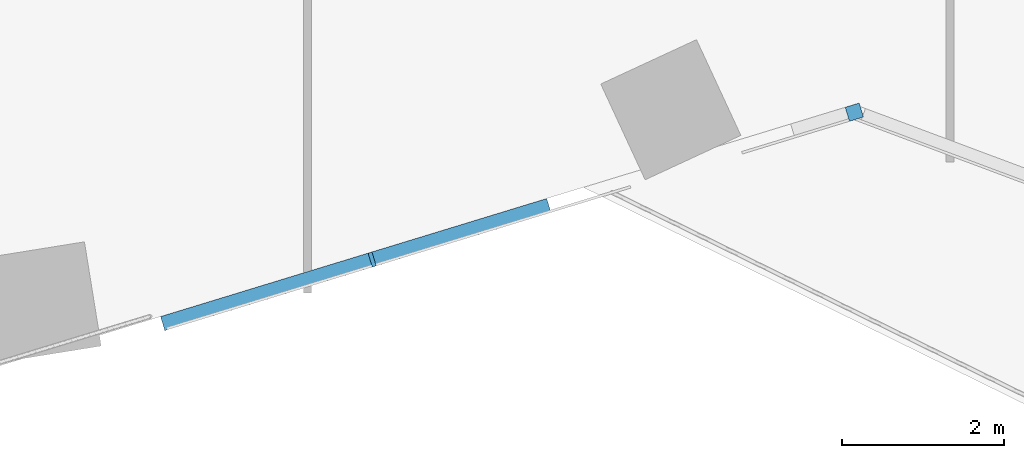
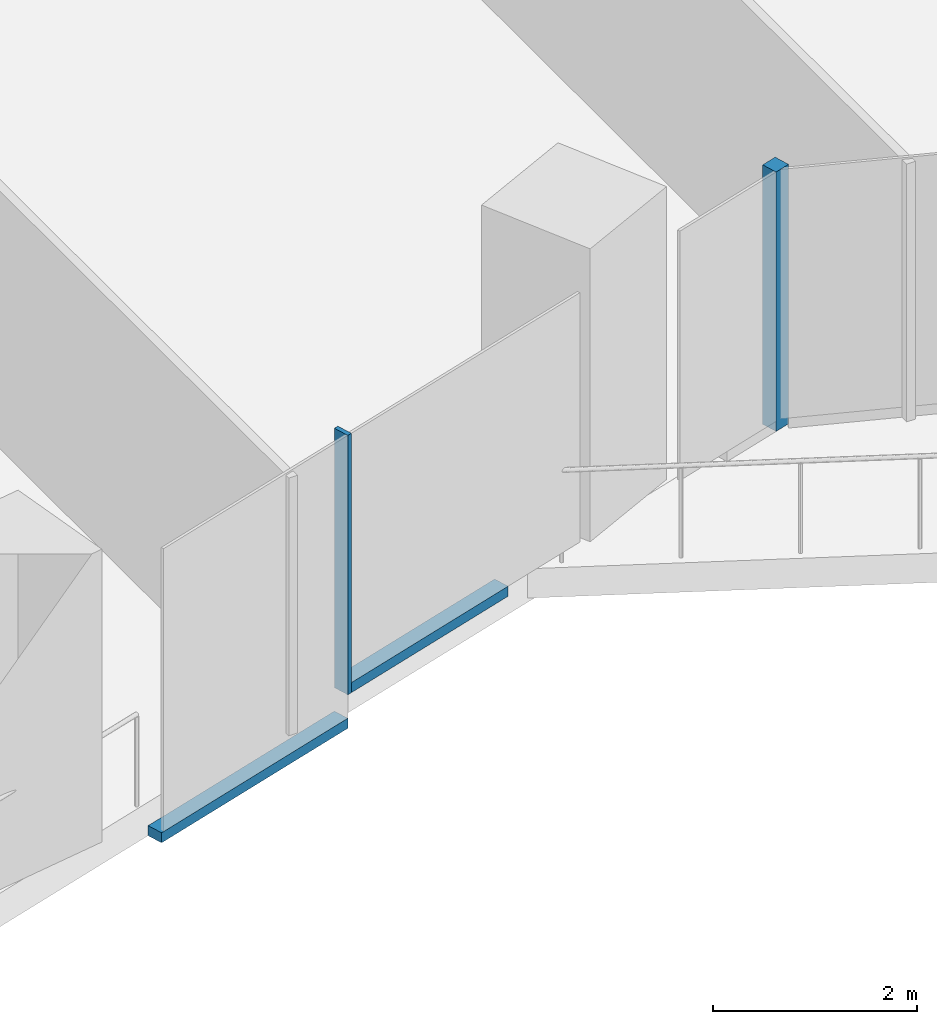
# One storey, part 5 of 30: 4 members, 1 element without a shape of its own.
"""IFC4 building model written with IfcOpenShell, lengths in metres."""

from ifc_helpers import new_model, si_unit, direction, frame, origin, origin_2d, place, context, subcontext, project, spatial, rectangle, extrude, material, material_profile, profile_set, type_object, element, aggregate, save


model = new_model("IFC4")

# Units and contexts
model_context = context("Model", 3, precision=1e-05, world=origin(), true_north=direction((0.0, 1.0)))
body_context = subcontext(model_context, "Body", "Model", "MODEL_VIEW")
ifc_project = project(units=[si_unit("LENGTHUNIT", "METRE"), si_unit("AREAUNIT", "SQUARE_METRE"), si_unit("VOLUMEUNIT", "CUBIC_METRE"), si_unit("PLANEANGLEUNIT", "RADIAN"), si_unit("MASSUNIT", "GRAM", prefix="KILO")], contexts=[model_context])

# Site, building, storey
site_placement = place(None, origin())
site = spatial("IfcSite", under=ifc_project, at=site_placement, CompositionType="ELEMENT")
building_placement = place(site_placement, origin())
building = spatial("IfcBuilding", under=site, at=building_placement, Name="Orlundy Tower", CompositionType="ELEMENT")
storey_placement = place(building_placement, frame((0.0, 0.0, 80.699951171875)))
storey = spatial("IfcBuildingStorey", under=building, at=storey_placement, Name="L19", CompositionType="ELEMENT", Elevation=80.699951171875)

# Curtain wall, members
ifc_material_1 = material(Name="Aluminium bronze anodised", Category="aluminium")
curtain_wall_type = type_object("IfcCurtainWallType", Name="CW1 wall", PredefinedType="NOTDEFINED", material=ifc_material_1)
curtain_wall_placement = place(storey_placement, origin())
curtain_wall = element("IfcCurtainWall", 1, at=curtain_wall_placement, inside=storey, type_object=curtain_wall_type, Name="CW1 run 017", PredefinedType="NOTDEFINED")
ifc_material_2 = material(Name="Aluminium bronze anodised", Category="aluminium")
ifc_material_profile_1 = material_profile(ifc_material_2, rectangle(XDim=0.179931640625, YDim=0.179931640625, at=origin_2d()), Name="CW1 corner post 180x180")
ifc_profile_set_1 = profile_set([ifc_material_profile_1], Name="Aluminium bronze anodised")
member_type_1 = type_object("IfcMemberType", Name="CW1 corner post 180x180", PredefinedType="MULLION", material=ifc_profile_set_1)
member_1_placement = place(storey_placement, frame((14.739013671875, -26.958984375, 0.0), z_axis=(0.0, 0.0, 1.0), x_axis=(0.292318233228, -0.956321102205, 0.0)))
member_1 = element("IfcMember", 2, at=member_1_placement, type_object=member_type_1, Name="CW1 mullion 49", PredefinedType="MULLION", context=body_context, shape_type="SweptSolid", body=[
    extrude(rectangle(XDim=0.179931640625, YDim=0.179931640625, at=origin_2d()), origin(), (0.0, 0.0, 1.0), 3.10009765625),
])
ifc_material_3 = material(Name="Aluminium bronze anodised", Category="aluminium")
ifc_material_profile_2 = material_profile(ifc_material_3, rectangle(XDim=0.179931640625, YDim=0.050048828125, at=origin_2d()), Name="CW1 mullion 50x180")
ifc_profile_set_2 = profile_set([ifc_material_profile_2], Name="Aluminium bronze anodised")
member_type_2 = type_object("IfcMemberType", Name="CW1 mullion 50x180", PredefinedType="MULLION", material=ifc_profile_set_2)
member_2_placement = place(storey_placement, frame((8.7978515625, -28.775146484375, 0.0), z_axis=(0.0, 0.0, 1.0), x_axis=(0.292318233228, -0.956321102205, 0.0)))
member_2 = element("IfcMember", 3, at=member_2_placement, type_object=member_type_2, Name="CW1 mullion 50", PredefinedType="MULLION", context=body_context, shape_type="SweptSolid", body=[
    extrude(rectangle(XDim=0.179931640625, YDim=0.050048828125, at=origin_2d()), origin(), (0.0, 0.0, 1.0), 3.10009765625),
])
ifc_material_4 = material(Name="Aluminium bronze anodised", Category="aluminium")
ifc_material_profile_3 = material_profile(ifc_material_4, rectangle(XDim=0.179931640625, YDim=0.1201171875, at=origin_2d()), Name="CW1 transom 180x120")
ifc_profile_set_3 = profile_set([ifc_material_profile_3], Name="Aluminium bronze anodised")
member_type_3 = type_object("IfcMemberType", Name="CW1 transom 180x120", PredefinedType="USERDEFINED", material=ifc_profile_set_3)
member_3_placement = place(storey_placement, frame((10.974853515625, -28.109619140625, 0.06005859375), z_axis=(-0.956311998217, -0.29234801533, 0.0), x_axis=(0.29234801533, -0.956311998217, 0.0)))
member_3 = element("IfcMember", 4, at=member_3_placement, type_object=member_type_3, Name="CW1 transom", ObjectType="TRANSOM", PredefinedType="USERDEFINED", context=body_context, shape_type="SweptSolid", body=[
    extrude(rectangle(XDim=0.179931640625, YDim=0.1201171875, at=origin_2d()), origin(), (0.0, 0.0, 1.0), 2.25146484375),
])
member_4_placement = place(storey_placement, frame((8.77392578125, -28.782470703125, -0.33984375), z_axis=(-0.956328175703, -0.292295091228, 0.0), x_axis=(0.292295091228, -0.956328175703, 0.0)))
member_4 = element("IfcMember", 5, at=member_4_placement, type_object=member_type_3, Name="CW1 transom", ObjectType="TRANSOM", PredefinedType="USERDEFINED", context=body_context, shape_type="SweptSolid", body=[
    extrude(rectangle(XDim=0.179931640625, YDim=0.1201171875, at=origin_2d()), origin(), (0.0, 0.0, 1.0), 2.673583984375),
])
aggregate(curtain_wall, [member_1, member_2, member_3, member_4])

save(model, "model.ifc")
